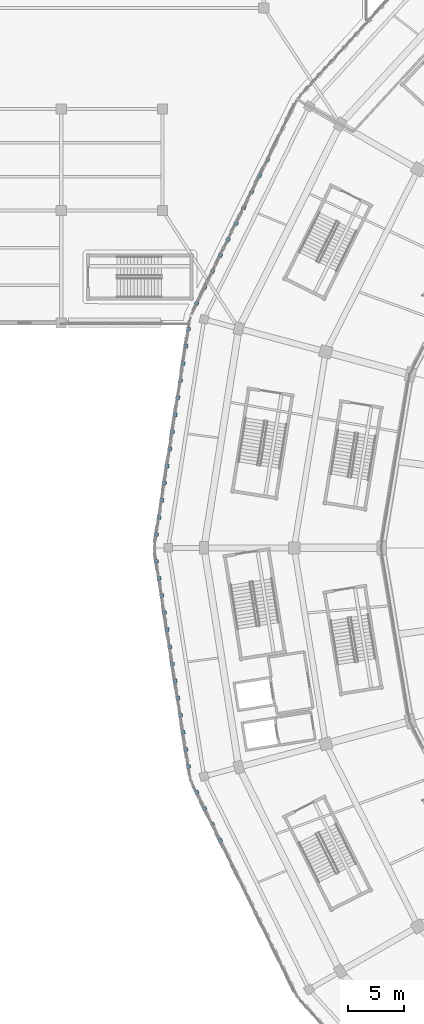
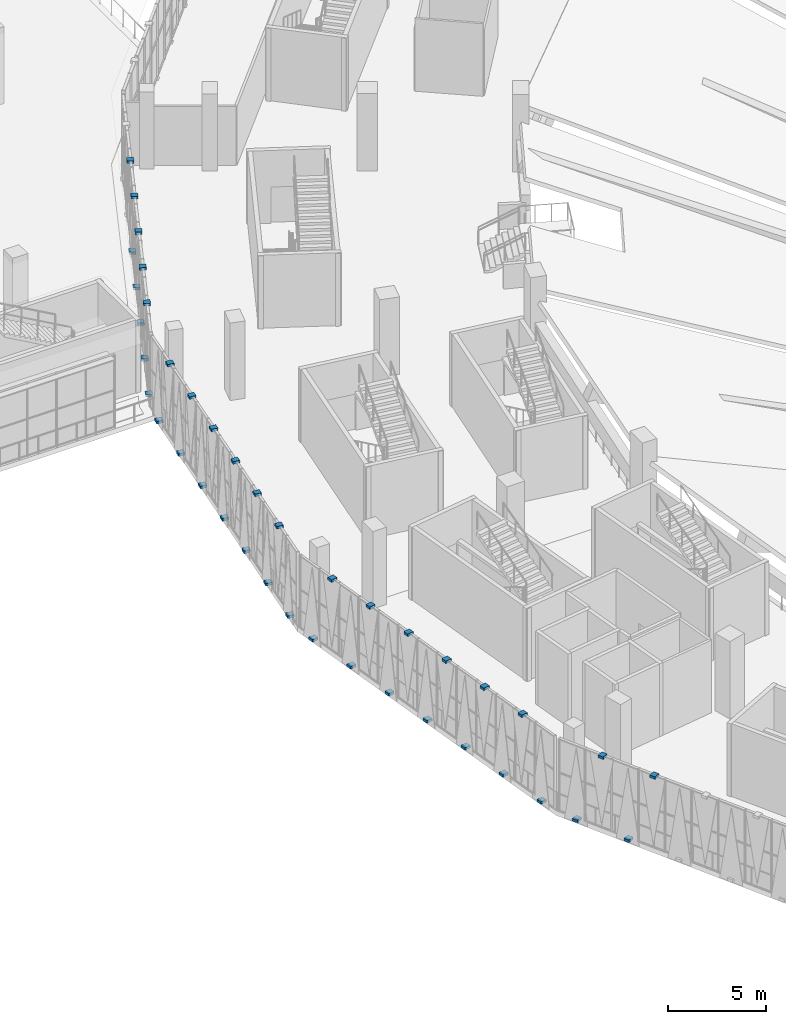
# One storey, part 120 of 183: 40 discrete accessories.
"""IFC4 building model written with IfcOpenShell, lengths in metres."""

from ifc_helpers import new_model, si_unit, direction, frame, origin, origin_2d, place, context, subcontext, project, spatial, rectangle, extrude, material, layer, layer_set, type_object, element, save


model = new_model("IFC4")

# Units and contexts
model_context = context("Model", 3, precision=1e-05, world=origin(), true_north=direction((0.0, 1.0)))
body_context = subcontext(model_context, "Body", "Model", "MODEL_VIEW")
ifc_project = project(units=[si_unit("LENGTHUNIT", "METRE"), si_unit("AREAUNIT", "SQUARE_METRE"), si_unit("VOLUMEUNIT", "CUBIC_METRE"), si_unit("PLANEANGLEUNIT", "RADIAN"), si_unit("MASSUNIT", "GRAM", prefix="KILO")], contexts=[model_context])

# Site, building, storey
site_placement = place(None, origin())
site = spatial("IfcSite", under=ifc_project, at=site_placement, CompositionType="ELEMENT")
building_placement = place(site_placement, origin())
building = spatial("IfcBuilding", under=site, at=building_placement, Name="Zevraka Park Crest Stadium", CompositionType="ELEMENT")
storey_placement = place(building_placement, frame((0.0, 0.0, 5.39990234375)))
storey = spatial("IfcBuildingStorey", under=building, at=storey_placement, Name="L01", CompositionType="ELEMENT", Elevation=5.39990234375)

# Discrete accessories
ifc_material = material(Name="Galvanised steel bracketry", Category="steel")
ifc_layer = layer(ifc_material, 0.1201171875)
ifc_layer_set = layer_set([ifc_layer], Name="Galvanised steel bracketry")
discrete_accessory_type = type_object("IfcDiscreteAccessoryType", Name="BRK01", PredefinedType="BRACKET", material=ifc_layer_set)
for number, where, z_axis, x_axis, name in (
    (1, (27.31298828125, 126.506103515625, 4.38037109375), (0.0, 0.0, 1.0), (-0.441505852792, -0.897258369674, 0.0), "Bronze Screen Carrier Bracket BRK01 L01-10-4"),
    (2, (26.614990234375, 125.087890625, -0.15966796875), (0.0, 0.0, 1.0), (-0.441505852792, -0.897258369674, 0.0), "Bronze Screen Carrier Bracket BRK01 L01-10-5"),
    (3, (25.9169921875, 123.6689453125, 4.38037109375), (0.0, 0.0, 1.0), (-0.441505852792, -0.897258369674, 0.0), "Bronze Screen Carrier Bracket BRK01 L01-10-6"),
    (4, (25.219970703125, 122.2509765625, -0.15966796875), (0.0, 0.0, 1.0), (-0.441505852792, -0.897258369674, 0.0), "Bronze Screen Carrier Bracket BRK01 L01-10-7"),
    (5, (24.52197265625, 120.8330078125, 4.38037109375), (0.0, 0.0, 1.0), (-0.441505852792, -0.897258369674, 0.0), "Bronze Screen Carrier Bracket BRK01 L01-10-8"),
    (6, (23.823974609375, 119.4140625, -0.15966796875), (0.0, 0.0, 1.0), (-0.441505852792, -0.897258369674, 0.0), "Bronze Screen Carrier Bracket BRK01 L01-10-9"),
    (7, (23.1259765625, 117.99609375, 4.38037109375), (0.0, 0.0, 1.0), (-0.441505852792, -0.897258369674, 0.0), "Bronze Screen Carrier Bracket BRK01 L01-10-10"),
    (8, (22.427978515625, 116.577880859375, -0.15966796875), (0.0, 0.0, 1.0), (-0.441505852792, -0.897258369674, 0.0), "Bronze Screen Carrier Bracket BRK01 L01-10-11"),
    (9, (21.72998046875, 115.158935546875, 4.38037109375), (0.0, 0.0, 1.0), (-0.441505852792, -0.897258369674, 0.0), "Bronze Screen Carrier Bracket BRK01 L01-10-12"),
    (10, (21.031982421875, 113.740966796875, -0.15966796875), (0.0, 0.0, 1.0), (-0.441505852792, -0.897258369674, 0.0), "Bronze Screen Carrier Bracket BRK01 L01-10-13"),
    (11, (20.301025390625, 111.43994140625, -0.15966796875), (0.0, 0.0, 1.0), (-0.154537952419, -0.987986852778, 0.0), "Bronze Screen Carrier Bracket BRK01 L01-11-1"),
    (12, (20.06298828125, 109.919921875, 4.38037109375), (0.0, 0.0, 1.0), (-0.154537952419, -0.987986852778, 0.0), "Bronze Screen Carrier Bracket BRK01 L01-11-2"),
    (13, (19.824951171875, 108.39892578125, -0.15966796875), (0.0, 0.0, 1.0), (-0.154537952419, -0.987986852778, 0.0), "Bronze Screen Carrier Bracket BRK01 L01-11-3"),
    (14, (19.5869140625, 106.87890625, 4.38037109375), (0.0, 0.0, 1.0), (-0.154537952419, -0.987986852778, 0.0), "Bronze Screen Carrier Bracket BRK01 L01-11-4"),
    (15, (19.35009765625, 105.35888671875, -0.15966796875), (0.0, 0.0, 1.0), (-0.154537952419, -0.987986852778, 0.0), "Bronze Screen Carrier Bracket BRK01 L01-11-5"),
    (16, (19.112060546875, 103.837890625, 4.38037109375), (0.0, 0.0, 1.0), (-0.154537952419, -0.987986852778, 0.0), "Bronze Screen Carrier Bracket BRK01 L01-11-6"),
    (17, (18.8740234375, 102.318115234375, -0.15966796875), (0.0, 0.0, 1.0), (-0.154537952419, -0.987986852778, 0.0), "Bronze Screen Carrier Bracket BRK01 L01-11-7"),
    (18, (18.635986328125, 100.798095703125, 4.38037109375), (0.0, 0.0, 1.0), (-0.154537952419, -0.987986852778, 0.0), "Bronze Screen Carrier Bracket BRK01 L01-11-8"),
    (19, (18.39794921875, 99.277099609375, -0.15966796875), (0.0, 0.0, 1.0), (-0.154537952419, -0.987986852778, 0.0), "Bronze Screen Carrier Bracket BRK01 L01-11-9"),
    (20, (18.160888671875, 97.757080078125, 4.38037109375), (0.0, 0.0, 1.0), (-0.154537952419, -0.987986852778, 0.0), "Bronze Screen Carrier Bracket BRK01 L01-11-10"),
    (21, (17.923095703125, 96.237060546875, -0.15966796875), (0.0, 0.0, 1.0), (-0.154537952419, -0.987986852778, 0.0), "Bronze Screen Carrier Bracket BRK01 L01-11-11"),
    (22, (17.68505859375, 94.716064453125, 4.38037109375), (0.0, 0.0, 1.0), (-0.154537952419, -0.987986852778, 0.0), "Bronze Screen Carrier Bracket BRK01 L01-11-12"),
    (23, (17.447021484375, 93.196044921875, -0.15966796875), (0.0, 0.0, 1.0), (-0.154537952419, -0.987986852778, 0.0), "Bronze Screen Carrier Bracket BRK01 L01-11-13"),
    (24, (17.447021484375, 90.803955078125, -0.15966796875), (0.0, 0.0, 1.0), (0.154537952419, -0.987986852778, 0.0), "Bronze Screen Carrier Bracket BRK01 L01-12-1"),
    (25, (17.68505859375, 89.283935546875, 4.38037109375), (0.0, 0.0, 1.0), (0.154537952419, -0.987986852778, 0.0), "Bronze Screen Carrier Bracket BRK01 L01-12-2"),
    (26, (17.923095703125, 87.762939453125, -0.15966796875), (0.0, 0.0, 1.0), (0.154537952419, -0.987986852778, 0.0), "Bronze Screen Carrier Bracket BRK01 L01-12-3"),
    (27, (18.160888671875, 86.242919921875, 4.38037109375), (0.0, 0.0, 1.0), (0.154537952419, -0.987986852778, 0.0), "Bronze Screen Carrier Bracket BRK01 L01-12-4"),
    (28, (18.39794921875, 84.722900390625, -0.15966796875), (0.0, 0.0, 1.0), (0.154537952419, -0.987986852778, 0.0), "Bronze Screen Carrier Bracket BRK01 L01-12-5"),
    (29, (18.635986328125, 83.201904296875, 4.38037109375), (0.0, 0.0, 1.0), (0.154537952419, -0.987986852778, 0.0), "Bronze Screen Carrier Bracket BRK01 L01-12-6"),
    (30, (18.8740234375, 81.681884765625, -0.15966796875), (0.0, 0.0, 1.0), (0.154537952419, -0.987986852778, 0.0), "Bronze Screen Carrier Bracket BRK01 L01-12-7"),
    (31, (19.112060546875, 80.162109375, 4.38037109375), (0.0, 0.0, 1.0), (0.154537952419, -0.987986852778, 0.0), "Bronze Screen Carrier Bracket BRK01 L01-12-8"),
    (32, (19.35009765625, 78.64111328125, -0.15966796875), (0.0, 0.0, 1.0), (0.154537952419, -0.987986852778, 0.0), "Bronze Screen Carrier Bracket BRK01 L01-12-9"),
    (33, (19.5869140625, 77.12109375, 4.38037109375), (0.0, 0.0, 1.0), (0.154537952419, -0.987986852778, 0.0), "Bronze Screen Carrier Bracket BRK01 L01-12-10"),
    (34, (19.824951171875, 75.60107421875, -0.15966796875), (0.0, 0.0, 1.0), (0.154537952419, -0.987986852778, 0.0), "Bronze Screen Carrier Bracket BRK01 L01-12-11"),
    (35, (20.06298828125, 74.080078125, 4.38037109375), (0.0, 0.0, 1.0), (0.154537952419, -0.987986852778, 0.0), "Bronze Screen Carrier Bracket BRK01 L01-12-12"),
    (36, (20.301025390625, 72.56005859375, -0.15966796875), (0.0, 0.0, 1.0), (0.154537952419, -0.987986852778, 0.0), "Bronze Screen Carrier Bracket BRK01 L01-12-13"),
    (37, (21.031982421875, 70.259033203125, -0.15966796875), (0.0, 0.0, 1.0), (0.441505852792, -0.897258369674, 0.0), "Bronze Screen Carrier Bracket BRK01 L01-13-1"),
    (38, (21.72998046875, 68.841064453125, 4.38037109375), (0.0, 0.0, 1.0), (0.441505852792, -0.897258369674, 0.0), "Bronze Screen Carrier Bracket BRK01 L01-13-2"),
    (39, (22.427978515625, 67.422119140625, -0.15966796875), (0.0, 0.0, 1.0), (0.441505852792, -0.897258369674, 0.0), "Bronze Screen Carrier Bracket BRK01 L01-13-3"),
    (40, (23.1259765625, 66.00390625, 4.38037109375), (0.0, 0.0, 1.0), (0.441505852792, -0.897258369674, 0.0), "Bronze Screen Carrier Bracket BRK01 L01-13-4"),
):
    element("IfcDiscreteAccessory", number, at=place(storey_placement, frame(where, z_axis=z_axis, x_axis=x_axis)), inside=storey, type_object=discrete_accessory_type, Name=name, PredefinedType="BRACKET", context=body_context, shape_type="SweptSolid", body=[
        extrude(rectangle(XDim=0.320068359375, YDim=0.360107421875, at=origin_2d()), origin(), (0.0, 0.0, 1.0), 0.159912109375),
    ])

save(model, "model.ifc")
